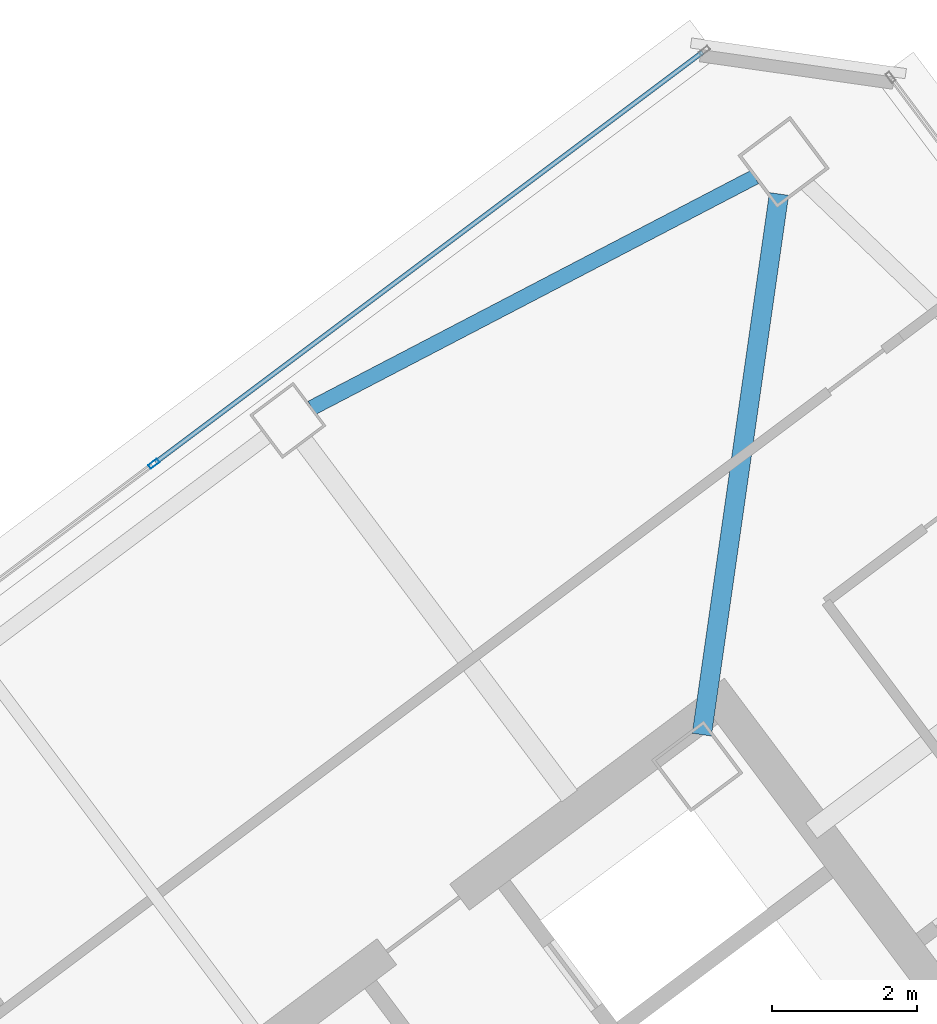
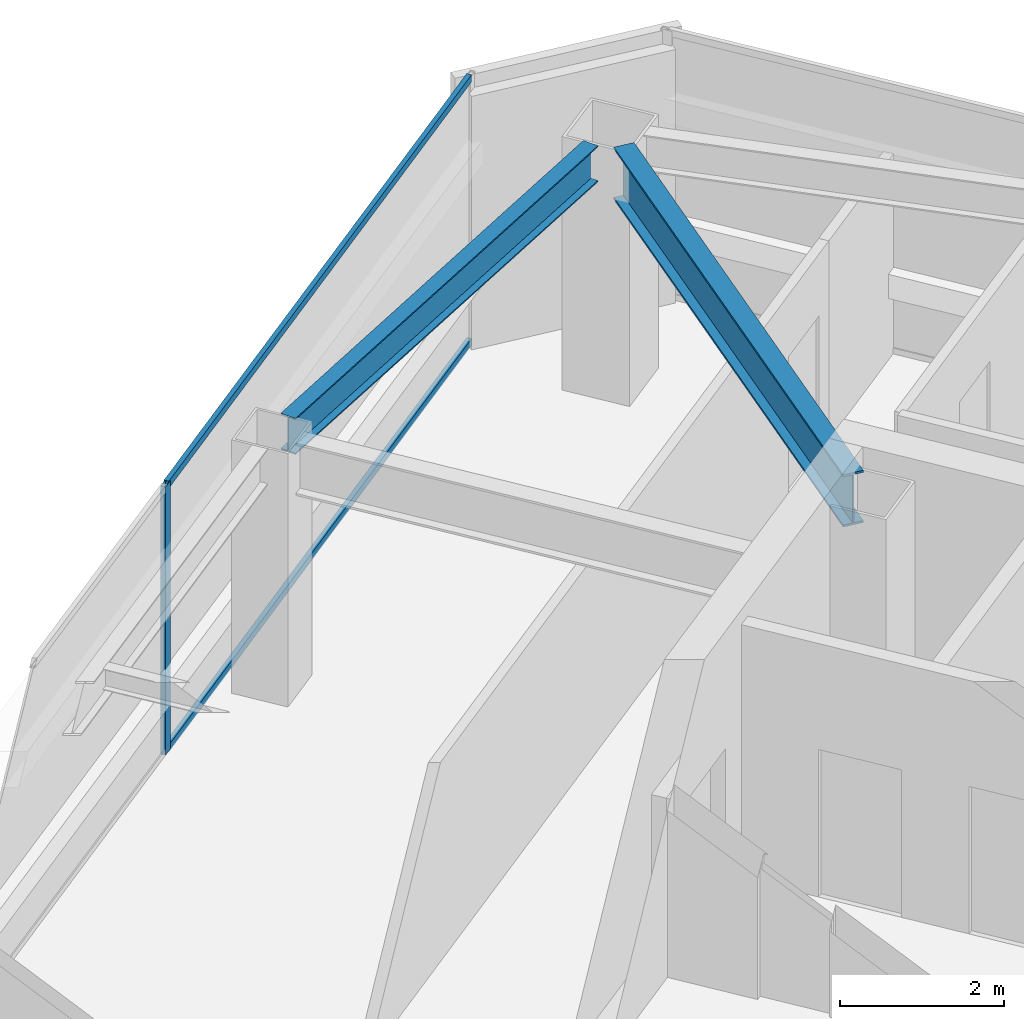
# One storey, part 38 of 53: 3 members, 2 beams, 1 element without a shape of its own.
"""IFC4 building model written with IfcOpenShell, lengths in metres."""

import ifcopenshell
import ifcopenshell.guid

model = None  # the IFC model being written
_history = None  # IfcOwnerHistory: only IFC2X3 demands one
_inside = {}  # id of a spatial element -> (the spatial element, [elements in it])
_under = {}  # id of a project, library or spatial element -> (it, [spatial elements below it])
_declared = {}  # id of a project -> (the project, [libraries it declares])
_typed = {}  # id of a type object -> (the type object, [elements of that type])
_made_of = {}  # id of a material, layer set ... -> (it, [elements and type objects made of it])


def new_model(schema):
    """Start an empty IFC model of exactly this schema.

    Asked for "IFC4X3", IfcOpenShell would pick the latest addendum, in which some entities
    have other attributes; the version numbers below select the first issue.
    IFC2X3 requires an IfcOwnerHistory on every rooted entity: one is made here for all.
    """
    global model, _history
    if schema == "IFC4X3":
        model = ifcopenshell.file(schema_version=(4, 3, 0, 0))
    else:
        model = ifcopenshell.file(schema=schema)
    _inside.clear()
    _under.clear()
    _declared.clear()
    _typed.clear()
    _made_of.clear()
    _history = None
    if model.schema == "IFC2X3":
        org = make("IfcOrganization", Name="unknown")
        user = make(
            "IfcPersonAndOrganization",
            ThePerson=make("IfcPerson", FamilyName="unknown"),
            TheOrganization=org,
        )
        app = make(
            "IfcApplication",
            ApplicationDeveloper=org,
            Version="unknown",
            ApplicationFullName="unknown",
            ApplicationIdentifier="unknown",
        )
        _history = make(
            "IfcOwnerHistory",
            OwningUser=user,
            OwningApplication=app,
            ChangeAction="ADDED",
            CreationDate=0,
        )
    return model


def make(cls, **values):
    """One entity of the class cls with the attributes given. An attribute that is None is left unset."""
    return model.create_entity(
        cls, **{name: value for name, value in values.items() if value is not None}
    )


def rooted(cls, **values):
    """An entity with a GlobalId (a new one), such as an element, a storey or a relation."""
    return make(cls, GlobalId=ifcopenshell.guid.new(), OwnerHistory=_history, **values)


def si_unit(unit_type, name, prefix=None):
    """IfcSIUnit, for example si_unit("LENGTHUNIT", "METRE", prefix="MILLI")."""
    return make("IfcSIUnit", UnitType=unit_type, Prefix=prefix, Name=name)


def assignment(units):
    """IfcUnitAssignment: the units of a project."""
    return None if units is None else make("IfcUnitAssignment", Units=units)


def point(xyz):
    """IfcCartesianPoint."""
    return None if xyz is None else make("IfcCartesianPoint", Coordinates=xyz)


def direction(xyz):
    """IfcDirection."""
    return None if xyz is None else make("IfcDirection", DirectionRatios=xyz)


def frame(location, z_axis=None, x_axis=None):
    """IfcAxis2Placement3D, a coordinate frame: its origin and axes. An axis left out is left unset."""
    return make(
        "IfcAxis2Placement3D",
        Location=point(location),
        Axis=direction(z_axis),
        RefDirection=direction(x_axis),
    )


def frame_2d(location, x_axis=None):
    """IfcAxis2Placement2D, a coordinate frame in the plane: its origin and x axis."""
    return make(
        "IfcAxis2Placement2D", Location=point(location), RefDirection=direction(x_axis)
    )


def origin():
    """The frame at (0, 0, 0) with its axes left unset."""
    return frame((0.0, 0.0, 0.0))


def origin_2d():
    """The frame at (0, 0) in the plane with its x axis left unset."""
    return frame_2d((0.0, 0.0))


def place(relative_to, where):
    """IfcLocalPlacement: puts the frame where relative to a parent placement (None: the world)."""
    return make(
        "IfcLocalPlacement", PlacementRelTo=relative_to, RelativePlacement=where
    )


def context(
    kind, dimensions, precision=None, world=None, true_north=None, identifier=None
):
    """IfcGeometricRepresentationContext, for example the 3D "Model" context."""
    return make(
        "IfcGeometricRepresentationContext",
        ContextIdentifier=identifier,
        ContextType=kind,
        CoordinateSpaceDimension=dimensions,
        Precision=precision,
        WorldCoordinateSystem=world,
        TrueNorth=true_north,
    )


def subcontext(parent, identifier, kind, view, scale=None):
    """IfcGeometricRepresentationSubContext, for example "Body" below "Model"."""
    return make(
        "IfcGeometricRepresentationSubContext",
        ContextIdentifier=identifier,
        ContextType=kind,
        ParentContext=parent,
        TargetScale=scale,
        TargetView=view,
    )


def project(units=None, contexts=None):
    """IfcProject with its units and contexts."""
    return rooted(
        "IfcProject",
        Name="project",
        RepresentationContexts=contexts,
        UnitsInContext=assignment(units),
    )


def spatial(cls, under=None, at=None, **own):
    """A site, building, storey or space (cls), placed at a placement, below another one or the project."""
    s = rooted(cls, ObjectPlacement=at, **own)
    if under is not None:
        _under.setdefault(under.id(), (under, []))[1].append(s)
    return s


def profile(cls, at=None, kind="AREA", **sizes):
    """A parametric profile (cls). Its sizes go by their IFC names, for example OverallWidth=200.0."""
    return make(cls, ProfileType=kind, Position=at, **sizes)


def hollow_rectangle(**sizes):
    """IfcRectangleHollowProfileDef."""
    return profile("IfcRectangleHollowProfileDef", **sizes)


def i_section(**sizes):
    """IfcIShapeProfileDef."""
    return profile("IfcIShapeProfileDef", **sizes)


def extrude(swept, where, along, depth):
    """IfcExtrudedAreaSolid: the profile swept, set in the frame where, extruded along a direction by depth."""
    return make(
        "IfcExtrudedAreaSolid",
        SweptArea=swept,
        Position=where,
        ExtrudedDirection=direction(along),
        Depth=depth,
    )


def shape(context_of_items, identifier, shape_type, items):
    """IfcShapeRepresentation: the items that make up one representation, for example the "Body"."""
    return make(
        "IfcShapeRepresentation",
        ContextOfItems=context_of_items,
        RepresentationIdentifier=identifier,
        RepresentationType=shape_type,
        Items=items,
    )


def material(Name=None, Category=None):
    """IfcMaterial."""
    return make("IfcMaterial", Name=Name, Category=Category)


def material_profile(
    of_material, cross_section, Name=None, Category=None, Priority=None
):
    """IfcMaterialProfile: a cross section and its material."""
    return make(
        "IfcMaterialProfile",
        Name=Name,
        Material=of_material,
        Profile=cross_section,
        Priority=Priority,
        Category=Category,
    )


def profile_set(profiles, Name=None, composite=None):
    """IfcMaterialProfileSet."""
    return make(
        "IfcMaterialProfileSet",
        Name=Name,
        MaterialProfiles=profiles,
        CompositeProfile=composite,
    )


def made_of(thing, what):
    """Note that an element or type object is made of a material, layer set ...; save() writes the relation."""
    if what is not None:
        _made_of.setdefault(what.id(), (what, []))[1].append(thing)
    return thing


def type_object(cls, material=None, **own):
    """A type object (cls), such as IfcWallType, which elements share."""
    return made_of(rooted(cls, **own), material)


def element(
    cls,
    number,
    at=None,
    inside=None,
    cuts=None,
    type_object=None,
    material=None,
    context=None,
    identifier="Body",
    shape_type=None,
    held_by="IfcProductDefinitionShape",
    body=None,
    shapes=None,
    **own,
):
    """One element of the class cls, such as IfcWall. Its Tag is "e" and its number.

    at: its placement. inside: the storey or other place that contains it. cuts: it is an
    opening in that element (IfcRelVoidsElement). A single representation is given by context,
    identifier, shape_type and body (its items); several are given by shapes. held_by: the class
    of the entity that holds the representations. save() writes the other relations.
    """
    e = rooted(cls, Tag="e%d" % number, ObjectPlacement=at, **own)
    if body is not None:
        shapes = [shape(context, identifier, shape_type, body)]
    if shapes is not None:
        e.Representation = make(held_by, Representations=shapes)
    if inside is not None:
        _inside.setdefault(inside.id(), (inside, []))[1].append(e)
    if cuts is not None:
        rooted(
            "IfcRelVoidsElement", RelatingBuildingElement=cuts, RelatedOpeningElement=e
        )
    if type_object is not None:
        _typed.setdefault(type_object.id(), (type_object, []))[1].append(e)
    return made_of(e, material)


def aggregate(whole, parts):
    """IfcRelAggregates: a whole, such as a stair, and the parts it consists of."""
    return rooted("IfcRelAggregates", RelatingObject=whole, RelatedObjects=parts)


def save(model, path):
    """Write the relations noted so far, then the file.

    IfcRelAggregates (storeys below a building ...), IfcRelContainedInSpatialStructure (elements
    in a storey), IfcRelDefinesByType, IfcRelAssociatesMaterial and IfcRelDeclares: one each for
    every whole, place, type object, material and project.
    """
    for whole, parts in _under.values():
        aggregate(whole, parts)
    for where, things in _inside.values():
        rooted(
            "IfcRelContainedInSpatialStructure",
            RelatedElements=things,
            RelatingStructure=where,
        )
    for kind, things in _typed.values():
        rooted("IfcRelDefinesByType", RelatedObjects=things, RelatingType=kind)
    for what, things in _made_of.values():
        rooted("IfcRelAssociatesMaterial", RelatedObjects=things, RelatingMaterial=what)
    for by, libraries in _declared.values():
        rooted("IfcRelDeclares", RelatingContext=by, RelatedDefinitions=libraries)
    model.write(path)


model = new_model("IFC4")

# Units and contexts
model_context = context("Model", 3, precision=1e-05, world=origin(), true_north=direction((0.0, 1.0)))
body_context = subcontext(model_context, "Body", "Model", "MODEL_VIEW")
ifc_project = project(units=[si_unit("LENGTHUNIT", "METRE"), si_unit("AREAUNIT", "SQUARE_METRE"), si_unit("VOLUMEUNIT", "CUBIC_METRE"), si_unit("PLANEANGLEUNIT", "RADIAN"), si_unit("MASSUNIT", "GRAM", prefix="KILO")], contexts=[model_context])

# Site, building, storey
site_placement = place(None, origin())
site = spatial("IfcSite", under=ifc_project, at=site_placement, CompositionType="ELEMENT")
building_placement = place(site_placement, origin())
building = spatial("IfcBuilding", under=site, at=building_placement, Name="Tashvorn Skyway Center", CompositionType="ELEMENT")
storey_placement = place(building_placement, frame((0.0, 0.0, 255.39990234375)))
storey = spatial("IfcBuildingStorey", under=building, at=storey_placement, Name="L69", CompositionType="ELEMENT", Elevation=255.39990234375)

# Beams
ifc_material_1 = material(Name="Steel ASTM A992 Grade 50", Category="steel")
ifc_material_profile_1 = material_profile(ifc_material_1, i_section(OverallWidth=0.26708984375, OverallDepth=0.779052734375, WebThickness=0.0166015625, FlangeThickness=0.030029296875, at=origin_2d()), Name="W30X148")
ifc_profile_set_1 = profile_set([ifc_material_profile_1], Name="Steel ASTM A992 Grade 50")
beam_type_1 = type_object("IfcBeamType", Name="BM-BEAM-W30X148", PredefinedType="BEAM", material=ifc_profile_set_1)
beam_1_placement = place(storey_placement, frame((116.537109375, 49.759521484375, 3.390625), z_axis=(-0.141430441004, -0.989948195795, 0.0), x_axis=(0.989948195795, -0.141430441004, 0.0)))
element("IfcBeam", 1, at=beam_1_placement, inside=storey, type_object=beam_type_1, Name="Tower 2 L69 Primary Floor Girder MC-NE", PredefinedType="BEAM", context=body_context, shape_type="SweptSolid", body=[
    extrude(i_section(OverallWidth=0.26708984375, OverallDepth=0.779052734375, WebThickness=0.0166015625, FlangeThickness=0.030029296875, at=origin_2d()), origin(), (0.0, 0.0, 1.0), 7.524658203125),
])
ifc_material_profile_2 = material_profile(ifc_material_1, i_section(OverallWidth=0.2109375, OverallDepth=0.5390625, WebThickness=0.01171875, FlangeThickness=0.018798828125, at=origin_2d()), Name="W21X73")
ifc_profile_set_2 = profile_set([ifc_material_profile_2], Name="Steel ASTM A992 Grade 50")
beam_type_2 = type_object("IfcBeamType", Name="BM-SPANDREL-W21X73", PredefinedType="SPANDREL", material=ifc_profile_set_2)
beam_2_placement = place(storey_placement, frame((116.205322265625, 49.994384765625, 3.510498046875), z_axis=(-0.886763659136, -0.462223120187, 0.0), x_axis=(0.462223120187, -0.886763659136, 0.0)))
element("IfcBeam", 2, at=beam_2_placement, inside=storey, type_object=beam_type_2, Name="Tower 2 L69 Spandrel Beam 07", PredefinedType="SPANDREL", context=body_context, shape_type="SweptSolid", body=[
    extrude(i_section(OverallWidth=0.2109375, OverallDepth=0.5390625, WebThickness=0.01171875, FlangeThickness=0.018798828125, at=origin_2d()), origin(), (0.0, 0.0, 1.0), 6.886962890625),
])

# Curtain wall, members
ifc_material_2 = material(Name="Thermally broken bronze-anodized aluminium 6063-T6", Category="aluminium")
curtain_wall_type = type_object("IfcCurtainWallType", Name="CW-CW-SKY", PredefinedType="NOTDEFINED", material=ifc_material_2)
curtain_wall_placement = place(storey_placement, origin())
curtain_wall = element("IfcCurtainWall", 3, at=curtain_wall_placement, inside=storey, type_object=curtain_wall_type, Name="Tower 2 L69 North Curtain Wall B", PredefinedType="NOTDEFINED")
ifc_material_profile_3 = material_profile(ifc_material_2, hollow_rectangle(XDim=0.06494140625, YDim=0.14990234375, WallThickness=0.00390625, at=origin_2d()), Name="ALU-MULL-65x150")
ifc_profile_set_3 = profile_set([ifc_material_profile_3], Name="Thermally broken bronze-anodized aluminium 6063-T6")
member_type_1 = type_object("IfcMemberType", Name="CWM-CW-SKY", PredefinedType="MULLION", material=ifc_profile_set_3)
member_1_placement = place(storey_placement, frame((107.924072265625, 46.04296875, 0.0), z_axis=(0.0, 0.0, 1.0), x_axis=(-0.600000000002, 0.799999999998, 0.0)))
member_1 = element("IfcMember", 4, at=member_1_placement, type_object=member_type_1, Name="CW-SKY mullion 2", PredefinedType="MULLION", context=body_context, shape_type="SweptSolid", body=[
    extrude(hollow_rectangle(XDim=0.06494140625, YDim=0.14990234375, WallThickness=0.00390625, at=origin_2d()), origin(), (0.0, 0.0, 1.0), 4.0),
])
ifc_material_profile_4 = material_profile(ifc_material_2, hollow_rectangle(XDim=0.06494140625, YDim=0.10498046875, WallThickness=0.00390625, at=origin_2d()), Name="ALU-TRAN-65x105")
ifc_profile_set_4 = profile_set([ifc_material_profile_4], Name="Thermally broken bronze-anodized aluminium 6063-T6")
member_type_2 = type_object("IfcMemberType", Name="CWT-CW-SKY", PredefinedType="USERDEFINED", material=ifc_profile_set_4)
member_2_placement = place(storey_placement, frame((107.949951171875, 46.0625, 0.03271484375), z_axis=(0.800003110925, 0.599995852077, 0.0), x_axis=(-0.599995852077, 0.800003110925, 0.0)))
member_2 = element("IfcMember", 5, at=member_2_placement, type_object=member_type_2, Name="CW-SKY transom 2.1", ObjectType="TRANSOM", PredefinedType="USERDEFINED", context=body_context, shape_type="SweptSolid", body=[
    extrude(hollow_rectangle(XDim=0.06494140625, YDim=0.10498046875, WallThickness=0.00390625, at=origin_2d()), origin(), (0.0, 0.0, 1.0), 9.41748046875),
])
member_3_placement = place(storey_placement, frame((107.949951171875, 46.0625, 3.967529296875), z_axis=(0.800003110925, 0.599995852077, 0.0), x_axis=(-0.599995852077, 0.800003110925, 0.0)))
member_3 = element("IfcMember", 6, at=member_3_placement, type_object=member_type_2, Name="CW-SKY transom 2.2", ObjectType="TRANSOM", PredefinedType="USERDEFINED", context=body_context, shape_type="SweptSolid", body=[
    extrude(hollow_rectangle(XDim=0.06494140625, YDim=0.10498046875, WallThickness=0.00390625, at=origin_2d()), origin(), (0.0, 0.0, 1.0), 9.41748046875),
])
aggregate(curtain_wall, [member_1, member_2, member_3])

save(model, "model.ifc")
